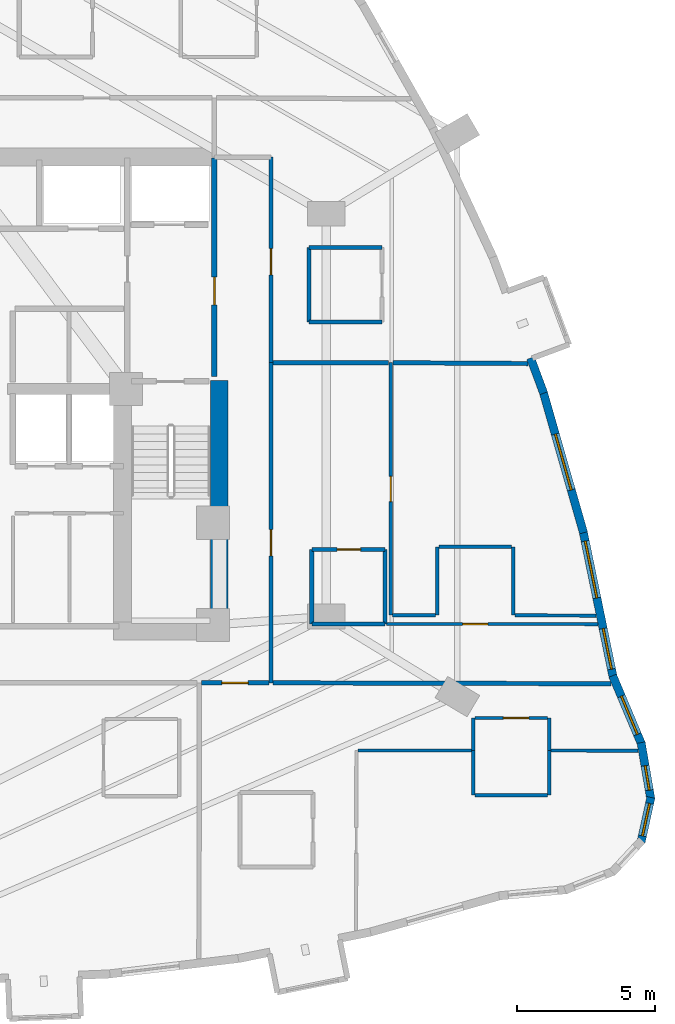
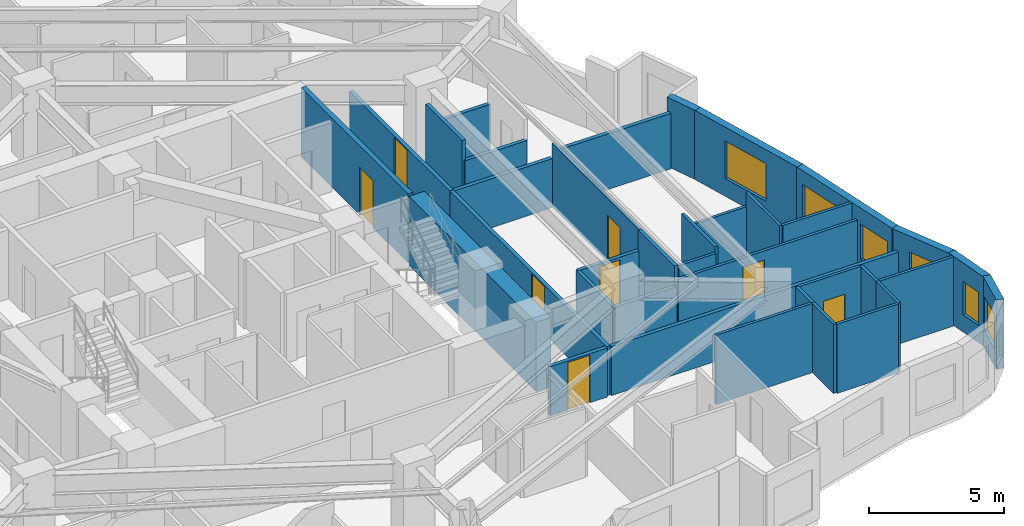
# One storey, part 8 of 11: 36 walls, 8 doors, 6 windows, 14 openings.
"""IFC4 building model written with IfcOpenShell, lengths in metres."""

from ifc_helpers import new_model, si_unit, direction, frame, frame_2d, origin, place, context, subcontext, project, spatial, rectangle, extrude, material, layer, layer_set, type_object, element, fill, save


model = new_model("IFC4")

# Units and contexts
model_context = context("Model", 3, precision=1e-05, world=origin(), true_north=direction((0.0, 1.0)))
body_context = subcontext(model_context, "Body", "Model", "MODEL_VIEW")
ifc_project = project(units=[si_unit("LENGTHUNIT", "METRE"), si_unit("AREAUNIT", "SQUARE_METRE"), si_unit("VOLUMEUNIT", "CUBIC_METRE"), si_unit("PLANEANGLEUNIT", "RADIAN"), si_unit("MASSUNIT", "GRAM", prefix="KILO")], contexts=[model_context])

# Site, building, storey
site_placement = place(None, origin())
site = spatial("IfcSite", under=ifc_project, at=site_placement, CompositionType="ELEMENT")
building_placement = place(site_placement, origin())
building = spatial("IfcBuilding", under=site, at=building_placement, Name="Miruveldt Soraemaru", CompositionType="ELEMENT")
storey_placement = place(building_placement, frame((0.0, 0.0, 66.60009765625)))
storey = spatial("IfcBuildingStorey", under=building, at=storey_placement, Name="L18", CompositionType="ELEMENT", Elevation=66.60009765625)

# Wall
ifc_material_1 = material(Name="Concrete C80/95 (80 MPa)", Category="concrete")
ifc_layer_1 = layer(ifc_material_1, 0.64990234375, Name="Concrete C80/95 (80 MPa)", Category="concrete")
ifc_layer_set_1 = layer_set([ifc_layer_1], Name="Concrete C80/95 (80 MPa)")
wall_type_1 = type_object("IfcWallType", Name="WALL-CW-650", PredefinedType="SHEAR", material=ifc_layer_set_1)
wall_1_placement = place(storey_placement, frame((52.72509765625, 34.949951171875, 0.0), z_axis=(0.0, 0.0, 1.0), x_axis=(0.0, 1.0, 0.0)))
element("IfcWall", 1, at=wall_1_placement, inside=storey, type_object=wall_type_1, Name="L18 Central Core Shear Wall E1", PredefinedType="SHEAR", context=body_context, shape_type="SweptSolid", body=[
    extrude(rectangle(XDim=9.400146484375, YDim=0.64990234375, at=frame_2d((4.7001953125, 0.0))), origin(), (0.0, 0.0, 1.0), 3.125),
])

# Wall, opening, window
ifc_material_2 = material(Name="Precast concrete C45/55 (45 MPa)", Category="concrete")
ifc_layer_2 = layer(ifc_material_2, 0.300048828125, Name="Precast concrete C45/55 (45 MPa)", Category="concrete")
ifc_layer_set_2 = layer_set([ifc_layer_2], Name="Precast concrete C45/55 (45 MPa)")
wall_type_2 = type_object("IfcWallType", Name="WALL-EXT-PC300", PredefinedType="SOLIDWALL", material=ifc_layer_set_2)
wall_2_placement = place(storey_placement, frame((68.013427734375, 27.633056640625, 0.0), z_axis=(0.0, 0.0, 1.0), x_axis=(0.21571007503, 0.976457456078, 0.0)))
wall_2 = element("IfcWall", 2, at=wall_2_placement, inside=storey, type_object=wall_type_2, Name="L18 Precast Concrete Facade Wall 32", PredefinedType="SOLIDWALL", context=body_context, shape_type="SweptSolid", body=[
    extrude(rectangle(XDim=1.65234375, YDim=0.300048828125, at=frame_2d((0.826171875, 0.0))), origin(), (0.0, 0.0, 1.0), 3.125),
])
opening_1_placement = place(wall_2_placement, frame((0.22607421875, 0.0, 0.780029296875)))
opening_1 = element("IfcOpeningElement", 3, at=opening_1_placement, cuts=wall_2, Name="Opening WN-4", PredefinedType="OPENING", context=body_context, shape_type="SweptSolid", body=[
    extrude(rectangle(XDim=1.199951171875, YDim=1.550048828125, at=frame_2d((0.60009765625, 0.77490234375))), frame((0.0, 0.16015625, 0.0), z_axis=(0.0, -1.0, 0.0), x_axis=(1.0, 0.0, 0.0)), (0.0, 0.0, 1.0), 0.320068359375),
])
ifc_material_3 = material(Name="Triple low-e insulated glazing", Category="glass")
window_type_1 = type_object("IfcWindowType", Name="WIN-PUNCH-1200x1550", PartitioningType="SINGLE_PANEL", PredefinedType="WINDOW", material=ifc_material_3)
window_1_placement = place(opening_1_placement, origin())
window_1 = element("IfcWindow", 4, at=window_1_placement, inside=storey, type_object=window_type_1, Name="L18 Punched Triple-Glazed Window 32.1", OverallHeight=1.550048828125, OverallWidth=1.199951171875, PartitioningType="SINGLE_PANEL", PredefinedType="WINDOW", context=body_context, shape_type="SweptSolid", body=[
    extrude(rectangle(XDim=1.199951171875, YDim=1.550048828125, at=frame_2d((0.60009765625, 0.77490234375))), frame((0.0, 0.030029296875, 0.0), z_axis=(0.0, -1.0, 0.0), x_axis=(1.0, 0.0, 0.0)), (0.0, 0.0, 1.0), 0.06005859375),
])
fill(opening_1, window_1)

wall_3_placement = place(storey_placement, frame((68.3681640625, 29.177978515625, 0.0), z_axis=(0.0, 0.0, 1.0), x_axis=(-0.169256203907, 0.985572086374, 0.0)))
wall_3 = element("IfcWall", 5, at=wall_3_placement, inside=storey, type_object=wall_type_2, Name="L18 Precast Concrete Facade Wall 33", PredefinedType="SOLIDWALL", context=body_context, shape_type="SweptSolid", body=[
    extrude(rectangle(XDim=2.085693359375, YDim=0.300048828125, at=frame_2d((1.04296875, 0.0))), origin(), (0.0, 0.0, 1.0), 3.125),
])
opening_2_placement = place(wall_3_placement, frame((0.3359375, 0.0, 0.780029296875)))
opening_2 = element("IfcOpeningElement", 6, at=opening_2_placement, cuts=wall_3, Name="Opening WN-7", PredefinedType="OPENING", context=body_context, shape_type="SweptSolid", body=[
    extrude(rectangle(XDim=0.89990234375, YDim=1.5, at=frame_2d((0.449951171875, 0.75))), frame((0.0, 0.16015625, 0.0), z_axis=(0.0, -1.0, 0.0), x_axis=(1.0, 0.0, 0.0)), (0.0, 0.0, 1.0), 0.320068359375),
])
window_type_2 = type_object("IfcWindowType", Name="WIN-PUNCH-900x1500", PartitioningType="SINGLE_PANEL", PredefinedType="WINDOW", material=ifc_material_3)
window_2_placement = place(opening_2_placement, origin())
window_2 = element("IfcWindow", 7, at=window_2_placement, inside=storey, type_object=window_type_2, Name="L18 Punched Triple-Glazed Window 33.1", OverallHeight=1.5, OverallWidth=0.89990234375, PartitioningType="SINGLE_PANEL", PredefinedType="WINDOW", context=body_context, shape_type="SweptSolid", body=[
    extrude(rectangle(XDim=0.89990234375, YDim=1.5, at=frame_2d((0.449951171875, 0.75))), frame((0.0, 0.030029296875, 0.0), z_axis=(0.0, -1.0, 0.0), x_axis=(1.0, 0.0, 0.0)), (0.0, 0.0, 1.0), 0.06005859375),
])
fill(opening_2, window_2)

wall_4_placement = place(storey_placement, frame((68.03466796875, 31.1669921875, 0.0), z_axis=(0.0, 0.0, 1.0), x_axis=(-0.388674171287, 0.921375270221, 0.0)))
wall_4 = element("IfcWall", 8, at=wall_4_placement, inside=storey, type_object=wall_type_2, Name="L18 Precast Concrete Facade Wall 34", PredefinedType="SOLIDWALL", context=body_context, shape_type="SweptSolid", body=[
    extrude(rectangle(XDim=2.705322265625, YDim=0.300048828125, at=frame_2d((1.3525390625, 0.0))), origin(), (0.0, 0.0, 1.0), 3.125),
])
opening_3_placement = place(wall_4_placement, frame((0.39794921875, 0.0, 0.800048828125)))
opening_3 = element("IfcOpeningElement", 9, at=opening_3_placement, cuts=wall_4, Name="Opening WN-3", PredefinedType="OPENING", context=body_context, shape_type="SweptSolid", body=[
    extrude(rectangle(XDim=1.5, YDim=1.60009765625, at=frame_2d((0.75, 0.800048828125))), frame((0.0, 0.16015625, 0.0), z_axis=(0.0, -1.0, 0.0), x_axis=(1.0, 0.0, 0.0)), (0.0, 0.0, 1.0), 0.320068359375),
])
window_type_3 = type_object("IfcWindowType", Name="WIN-PUNCH-1500x1600", PartitioningType="SINGLE_PANEL", PredefinedType="WINDOW", material=ifc_material_3)
window_3_placement = place(opening_3_placement, origin())
window_3 = element("IfcWindow", 10, at=window_3_placement, inside=storey, type_object=window_type_3, Name="L18 Punched Triple-Glazed Window 34.1", OverallHeight=1.60009765625, OverallWidth=1.5, PartitioningType="SINGLE_PANEL", PredefinedType="WINDOW", context=body_context, shape_type="SweptSolid", body=[
    extrude(rectangle(XDim=1.5, YDim=1.60009765625, at=frame_2d((0.75, 0.800048828125))), frame((0.0, 0.030029296875, 0.0), z_axis=(0.0, -1.0, 0.0), x_axis=(1.0, 0.0, 0.0)), (0.0, 0.0, 1.0), 0.06005859375),
])
fill(opening_3, window_3)

# Wall, openings, windows
wall_5_placement = place(storey_placement, frame((67.00390625, 33.593017578125, 0.0), z_axis=(0.0, 0.0, 1.0), x_axis=(-0.201583076405, 0.979471420363, 0.0)))
wall_5 = element("IfcWall", 11, at=wall_5_placement, inside=storey, type_object=wall_type_2, Name="L18 Precast Concrete Facade Wall 35", PredefinedType="SOLIDWALL", context=body_context, shape_type="SweptSolid", body=[
    extrude(rectangle(XDim=5.424560546875, YDim=0.300048828125, at=frame_2d((2.71240234375, 0.0))), origin(), (0.0, 0.0, 1.0), 3.125),
])
opening_4_placement = place(wall_5_placement, frame((0.30810546875, 0.0, 0.800048828125)))
opening_4 = element("IfcOpeningElement", 12, at=opening_4_placement, cuts=wall_5, Name="Opening WN-3", PredefinedType="OPENING", context=body_context, shape_type="SweptSolid", body=[
    extrude(rectangle(XDim=1.5, YDim=1.60009765625, at=frame_2d((0.75, 0.800048828125))), frame((0.0, 0.16015625, 0.0), z_axis=(0.0, -1.0, 0.0), x_axis=(1.0, 0.0, 0.0)), (0.0, 0.0, 1.0), 0.320068359375),
])
opening_5_placement = place(wall_5_placement, frame((2.943115234375, 0.0, 0.800048828125)))
opening_5 = element("IfcOpeningElement", 13, at=opening_5_placement, cuts=wall_5, Name="Opening WN-1", PredefinedType="OPENING", context=body_context, shape_type="SweptSolid", body=[
    extrude(rectangle(XDim=2.10009765625, YDim=1.699951171875, at=frame_2d((1.050048828125, 0.85009765625))), frame((0.0, 0.16015625, 0.0), z_axis=(0.0, -1.0, 0.0), x_axis=(1.0, 0.0, 0.0)), (0.0, 0.0, 1.0), 0.320068359375),
])
window_4_placement = place(opening_4_placement, origin())
window_4 = element("IfcWindow", 14, at=window_4_placement, inside=storey, type_object=window_type_3, Name="L18 Punched Triple-Glazed Window 35.1", OverallHeight=1.60009765625, OverallWidth=1.5, PartitioningType="SINGLE_PANEL", PredefinedType="WINDOW", context=body_context, shape_type="SweptSolid", body=[
    extrude(rectangle(XDim=1.5, YDim=1.60009765625, at=frame_2d((0.75, 0.800048828125))), frame((0.0, 0.030029296875, 0.0), z_axis=(0.0, -1.0, 0.0), x_axis=(1.0, 0.0, 0.0)), (0.0, 0.0, 1.0), 0.06005859375),
])
fill(opening_4, window_4)
window_type_4 = type_object("IfcWindowType", Name="WIN-PUNCH-2100x1700", PartitioningType="SINGLE_PANEL", PredefinedType="WINDOW", material=ifc_material_3)
window_5_placement = place(opening_5_placement, origin())
window_5 = element("IfcWindow", 15, at=window_5_placement, inside=storey, type_object=window_type_4, Name="L18 Punched Triple-Glazed Window 35.2", OverallHeight=1.699951171875, OverallWidth=2.10009765625, PartitioningType="SINGLE_PANEL", PredefinedType="WINDOW", context=body_context, shape_type="SweptSolid", body=[
    extrude(rectangle(XDim=2.10009765625, YDim=1.699951171875, at=frame_2d((1.050048828125, 0.85009765625))), frame((0.0, 0.030029296875, 0.0), z_axis=(0.0, -1.0, 0.0), x_axis=(1.0, 0.0, 0.0)), (0.0, 0.0, 1.0), 0.06005859375),
])
fill(opening_5, window_5)

# Wall, opening, window
wall_6_placement = place(storey_placement, frame((65.92724609375, 38.83837890625, 0.0), z_axis=(0.0, 0.0, 1.0), x_axis=(-0.275011596825, 0.961440909059, 0.0)))
wall_6 = element("IfcWall", 16, at=wall_6_placement, inside=storey, type_object=wall_type_2, Name="L18 Precast Concrete Facade Wall 36", PredefinedType="SOLIDWALL", context=body_context, shape_type="SweptSolid", body=[
    extrude(rectangle(XDim=5.328369140625, YDim=0.300048828125, at=frame_2d((2.6640625, 0.0))), origin(), (0.0, 0.0, 1.0), 3.125),
])
opening_6_placement = place(wall_6_placement, frame((1.614013671875, 0.0, 0.800048828125)))
opening_6 = element("IfcOpeningElement", 17, at=opening_6_placement, cuts=wall_6, Name="Opening WN-1", PredefinedType="OPENING", context=body_context, shape_type="SweptSolid", body=[
    extrude(rectangle(XDim=2.10009765625, YDim=1.699951171875, at=frame_2d((1.050048828125, 0.85009765625))), frame((0.0, 0.16015625, 0.0), z_axis=(0.0, -1.0, 0.0), x_axis=(1.0, 0.0, 0.0)), (0.0, 0.0, 1.0), 0.320068359375),
])
window_6_placement = place(opening_6_placement, origin())
window_6 = element("IfcWindow", 18, at=window_6_placement, inside=storey, type_object=window_type_4, Name="L18 Punched Triple-Glazed Window 36.1", OverallHeight=1.699951171875, OverallWidth=2.10009765625, PartitioningType="SINGLE_PANEL", PredefinedType="WINDOW", context=body_context, shape_type="SweptSolid", body=[
    extrude(rectangle(XDim=2.10009765625, YDim=1.699951171875, at=frame_2d((1.050048828125, 0.85009765625))), frame((0.0, 0.030029296875, 0.0), z_axis=(0.0, -1.0, 0.0), x_axis=(1.0, 0.0, 0.0)), (0.0, 0.0, 1.0), 0.06005859375),
])
fill(opening_6, window_6)

# Wall
wall_7_placement = place(storey_placement, frame((64.48388671875, 43.894775390625, 0.0), z_axis=(0.0, 0.0, 1.0), x_axis=(-0.349118285332, 0.937078664172, 0.0)))
element("IfcWall", 19, at=wall_7_placement, inside=storey, type_object=wall_type_2, Name="L18 Precast Pier Wall 37A", PredefinedType="SOLIDWALL", context=body_context, shape_type="SweptSolid", body=[
    extrude(rectangle(XDim=1.361572265625, YDim=0.300048828125, at=frame_2d((0.6806640625, 0.0))), origin(), (0.0, 0.0, 1.0), 3.125),
])

# Wall, opening, door
ifc_material_4 = material(Name="Gypsum plasterboard lining", Category="gypsum")
ifc_layer_3 = layer(ifc_material_4, 0.1201171875, Name="Gypsum plasterboard lining", Category="gypsum")
ifc_layer_set_3 = layer_set([ifc_layer_3], Name="Gypsum plasterboard lining")
wall_type_3 = type_object("IfcWallType", Name="WALL-INT-P120", PredefinedType="PARTITIONING", material=ifc_layer_set_3)
wall_8_placement = place(storey_placement, frame((58.94189453125, 35.85009765625, 0.0), z_axis=(0.0, 0.0, 1.0), x_axis=(0.0, 1.0, 0.0)))
wall_8 = element("IfcWall", 20, at=wall_8_placement, inside=storey, type_object=wall_type_3, Name="L18 Partition Wall 74", PredefinedType="PARTITIONING", context=body_context, shape_type="SweptSolid", body=[
    extrude(rectangle(XDim=9.14990234375, YDim=0.1201171875, at=frame_2d((4.574951171875, 0.0))), origin(), (0.0, 0.0, 1.0), 2.86279296875),
])
opening_7_placement = place(wall_8_placement, frame((4.114990234375, 0.0, 0.0)))
opening_7 = element("IfcOpeningElement", 21, at=opening_7_placement, cuts=wall_8, Name="Opening D3A", PredefinedType="OPENING", context=body_context, shape_type="SweptSolid", body=[
    extrude(rectangle(XDim=0.919921875, YDim=2.10009765625, at=frame_2d((0.4599609375, 1.050048828125))), frame((0.0, 0.070068359375, 0.0), z_axis=(0.0, -1.0, 0.0), x_axis=(1.0, 0.0, 0.0)), (0.0, 0.0, 1.0), 0.14013671875),
])
ifc_material_5 = material(Name="Anodised aluminium EN AW-6063 T6", Category="aluminium")
door_type_1 = type_object("IfcDoorType", Name="DOOR-INT-920", OperationType="NOTDEFINED", PredefinedType="DOOR", material=ifc_material_5)
door_1_placement = place(opening_7_placement, origin())
door_1 = element("IfcDoor", 22, at=door_1_placement, inside=storey, type_object=door_type_1, Name="L18 Unit 1806 BD1 Door", OperationType="SINGLE_SWING_RIGHT", OverallHeight=2.10009765625, OverallWidth=0.919921875, PredefinedType="DOOR", context=body_context, shape_type="SweptSolid", body=[
    extrude(rectangle(XDim=0.919921875, YDim=2.10009765625, at=frame_2d((0.4599609375, 1.050048828125))), frame((0.0, 0.02490234375, 0.0), z_axis=(0.0, -1.0, 0.0), x_axis=(1.0, 0.0, 0.0)), (0.0, 0.0, 1.0), 0.050048828125),
])
fill(opening_7, door_1)

wall_9_placement = place(storey_placement, frame((58.7900390625, 35.530029296875, 0.0), z_axis=(0.0, 0.0, 1.0), x_axis=(0.999999975075, -0.000223271237, 0.0)))
wall_9 = element("IfcWall", 23, at=wall_9_placement, inside=storey, type_object=wall_type_3, Name="L18 Partition Wall 71", PredefinedType="PARTITIONING", context=body_context, shape_type="SweptSolid", body=[
    extrude(rectangle(XDim=7.654296875, YDim=0.1201171875, at=frame_2d((3.8271484375, 0.0))), origin(), (0.0, 0.0, 1.0), 2.512939453125),
])
opening_8_placement = place(wall_9_placement, frame((2.7548828125, 0.0, 0.0)))
opening_8 = element("IfcOpeningElement", 24, at=opening_8_placement, cuts=wall_9, Name="Opening D3A", PredefinedType="OPENING", context=body_context, shape_type="SweptSolid", body=[
    extrude(rectangle(XDim=0.919921875, YDim=2.10009765625, at=frame_2d((0.4599609375, 1.050048828125))), frame((0.0, 0.070068359375, 0.0), z_axis=(0.0, -1.0, 0.0), x_axis=(1.0, 0.0, 0.0)), (0.0, 0.0, 1.0), 0.14013671875),
])
door_2_placement = place(opening_8_placement, origin())
door_2 = element("IfcDoor", 25, at=door_2_placement, inside=storey, type_object=door_type_1, Name="L18 Unit 1806 KIT Door", OperationType="SINGLE_SWING_LEFT", OverallHeight=2.10009765625, OverallWidth=0.919921875, PredefinedType="DOOR", context=body_context, shape_type="SweptSolid", body=[
    extrude(rectangle(XDim=0.919921875, YDim=2.10009765625, at=frame_2d((0.4599609375, 1.050048828125))), frame((0.0, 0.02490234375, 0.0), z_axis=(0.0, -1.0, 0.0), x_axis=(1.0, 0.0, 0.0)), (0.0, 0.0, 1.0), 0.050048828125),
])
fill(opening_8, door_2)

wall_10_placement = place(storey_placement, frame((64.6201171875, 32.126953125, 0.0), z_axis=(0.0, 0.0, 1.0), x_axis=(-1.0, 0.0, 0.0)))
wall_10 = element("IfcWall", 26, at=wall_10_placement, inside=storey, type_object=wall_type_3, Name="L18 Partition Wall 107", PredefinedType="PARTITIONING", context=body_context, shape_type="SweptSolid", body=[
    extrude(rectangle(XDim=2.630126953125, YDim=0.1201171875, at=frame_2d((1.31494140625, 0.0))), origin(), (0.0, 0.0, 1.0), 3.125),
])
opening_9_placement = place(wall_10_placement, frame((0.675048828125, 0.0, 0.0)))
opening_9 = element("IfcOpeningElement", 27, at=opening_9_placement, cuts=wall_10, Name="Opening D3A", PredefinedType="OPENING", context=body_context, shape_type="SweptSolid", body=[
    extrude(rectangle(XDim=0.919921875, YDim=2.10009765625, at=frame_2d((0.4599609375, 1.050048828125))), frame((0.0, 0.070068359375, 0.0), z_axis=(0.0, -1.0, 0.0), x_axis=(1.0, 0.0, 0.0)), (0.0, 0.0, 1.0), 0.14013671875),
])
door_3_placement = place(opening_9_placement, origin())
door_3 = element("IfcDoor", 28, at=door_3_placement, inside=storey, type_object=door_type_1, Name="L18 Unit 1809 KIT Door", OperationType="SINGLE_SWING_RIGHT", OverallHeight=2.10009765625, OverallWidth=0.919921875, PredefinedType="DOOR", context=body_context, shape_type="SweptSolid", body=[
    extrude(rectangle(XDim=0.919921875, YDim=2.10009765625, at=frame_2d((0.4599609375, 1.050048828125))), frame((0.0, 0.02490234375, 0.0), z_axis=(0.0, -1.0, 0.0), x_axis=(1.0, 0.0, 0.0)), (0.0, 0.0, 1.0), 0.050048828125),
])
fill(opening_9, door_3)

# Walls
wall_11_placement = place(storey_placement, frame((57.758056640625, 30.949951171875, 0.0), z_axis=(0.0, 0.0, 1.0), x_axis=(1.0, 0.0, 0.0)))
element("IfcWall", 29, at=wall_11_placement, inside=storey, type_object=wall_type_3, Name="L18 Partition Wall 110", PredefinedType="PARTITIONING", context=body_context, shape_type="SweptSolid", body=[
    extrude(rectangle(XDim=4.112060546875, YDim=0.1201171875, at=frame_2d((2.05615234375, 0.0))), origin(), (0.0, 0.0, 1.0), 3.125),
])
wall_12_placement = place(storey_placement, frame((64.739990234375, 30.949951171875, 0.0), z_axis=(0.0, 0.0, 1.0), x_axis=(0.999990296867, -0.004405243599, 0.0)))
element("IfcWall", 30, at=wall_12_placement, inside=storey, type_object=wall_type_3, Name="L18 Partition Wall 111", PredefinedType="PARTITIONING", context=body_context, shape_type="SweptSolid", body=[
    extrude(rectangle(XDim=3.158935546875, YDim=0.1201171875, at=frame_2d((1.57958984375, 0.0))), origin(), (0.0, 0.0, 1.0), 3.125),
])
wall_13_placement = place(storey_placement, frame((66.375, 35.8330078125, 0.0), z_axis=(0.0, 0.0, 1.0), x_axis=(-0.999983048755, 0.005822559758, 0.0)))
element("IfcWall", 31, at=wall_13_placement, inside=storey, type_object=wall_type_3, Name="L18 Partition Wall 72", PredefinedType="PARTITIONING", context=body_context, shape_type="SweptSolid", body=[
    extrude(rectangle(XDim=2.93505859375, YDim=0.1201171875, at=frame_2d((1.467529296875, 0.0))), origin(), (0.0, 0.0, 1.0), 3.125),
])
wall_14_placement = place(storey_placement, frame((63.320068359375, 38.330078125, 0.0), z_axis=(0.0, 0.0, 1.0), x_axis=(-1.0, 0.0, 0.0)))
element("IfcWall", 32, at=wall_14_placement, inside=storey, type_object=wall_type_3, Name="L18 Partition Wall 77", PredefinedType="PARTITIONING", context=body_context, shape_type="SweptSolid", body=[
    extrude(rectangle(XDim=2.630126953125, YDim=0.1201171875, at=frame_2d((1.31494140625, 0.0))), origin(), (0.0, 0.0, 1.0), 2.512939453125),
])
wall_15_placement = place(storey_placement, frame((61.989990234375, 29.326904296875, 0.0), z_axis=(0.0, 0.0, 1.0), x_axis=(1.0, 0.0, 0.0)))
element("IfcWall", 33, at=wall_15_placement, inside=storey, type_object=wall_type_3, Name="L18 Partition Wall 113", PredefinedType="PARTITIONING", context=body_context, shape_type="SweptSolid", body=[
    extrude(rectangle(XDim=2.630126953125, YDim=0.1201171875, at=frame_2d((1.31494140625, 0.0))), origin(), (0.0, 0.0, 1.0), 3.125),
])
for number, where, z_axis, x_axis, name in (
    (34, (63.3798828125, 35.85009765625, 0.0), (0.0, 0.0, 1.0), (0.0, 1.0, 0.0), "L18 Partition Wall 76"),
    (35, (60.6298828125, 38.330078125, 0.0), (0.0, 0.0, 1.0), (0.0, -1.0, 0.0), "L18 Partition Wall 78"),
):
    element("IfcWall", number, at=place(storey_placement, frame(where, z_axis=z_axis, x_axis=x_axis)), inside=storey, type_object=wall_type_3, Name=name, PredefinedType="PARTITIONING", context=body_context, shape_type="SweptSolid", body=[
        extrude(rectangle(XDim=2.47998046875, YDim=0.1201171875, at=frame_2d((1.239990234375, 0.0))), origin(), (0.0, 0.0, 1.0), 3.125),
    ])
for number, where, z_axis, x_axis, name in (
    (36, (61.929931640625, 30.949951171875, 0.0), (0.0, 0.0, 1.0), (0.0, -1.0, 0.0), "L18 Partition Wall 112"),
    (37, (64.679931640625, 29.326904296875, 0.0), (0.0, 0.0, 1.0), (0.0, 1.0, 0.0), "L18 Partition Wall 114"),
):
    element("IfcWall", number, at=place(storey_placement, frame(where, z_axis=z_axis, x_axis=x_axis)), inside=storey, type_object=wall_type_3, Name=name, PredefinedType="PARTITIONING", context=body_context, shape_type="SweptSolid", body=[
        extrude(rectangle(XDim=1.623046875, YDim=0.1201171875, at=frame_2d((0.8115234375, 0.0))), origin(), (0.0, 0.0, 1.0), 3.125),
    ])
wall_16_placement = place(storey_placement, frame((60.570068359375, 35.85009765625, 0.0), z_axis=(0.0, 0.0, 1.0), x_axis=(-1.0, 0.0, 0.0)))
element("IfcWall", 38, at=wall_16_placement, inside=storey, type_object=wall_type_3, Name="L18 Partition Wall 73", PredefinedType="PARTITIONING", context=body_context, shape_type="SweptSolid", body=[
    extrude(rectangle(XDim=1.568115234375, YDim=0.1201171875, at=frame_2d((0.7841796875, 0.0))), origin(), (0.0, 0.0, 1.0), 2.86279296875),
])
for number, where, z_axis, x_axis, name in (
    (39, (64.679931640625, 30.949951171875, 0.0), (0.0, 0.0, 1.0), (0.0, 1.0, 0.0), "L18 Partition Wall 106"),
    (40, (61.929931640625, 32.126953125, 0.0), (0.0, 0.0, 1.0), (0.0, -1.0, 0.0), "L18 Partition Wall 108"),
):
    element("IfcWall", number, at=place(storey_placement, frame(where, z_axis=z_axis, x_axis=x_axis)), inside=storey, type_object=wall_type_3, Name=name, PredefinedType="PARTITIONING", context=body_context, shape_type="SweptSolid", body=[
        extrude(rectangle(XDim=1.177001953125, YDim=0.1201171875, at=frame_2d((0.58837890625, 0.0))), origin(), (0.0, 0.0, 1.0), 3.125),
    ])

# Wall, opening, door
ifc_layer_4 = layer(ifc_material_4, 0.14990234375, Name="Gypsum plasterboard lining", Category="gypsum")
ifc_layer_set_4 = layer_set([ifc_layer_4], Name="Gypsum plasterboard lining")
wall_type_4 = type_object("IfcWallType", Name="WALL-INT-PLUMB", PredefinedType="PLUMBINGWALL", material=ifc_layer_set_4)
wall_17_placement = place(storey_placement, frame((58.72998046875, 38.22998046875, 0.0), z_axis=(0.0, 0.0, 1.0), x_axis=(-1.0, 0.0, 0.0)))
wall_17 = element("IfcWall", 41, at=wall_17_placement, inside=storey, type_object=wall_type_4, Name="L18 Partition Wall 68", PredefinedType="PLUMBINGWALL", context=body_context, shape_type="SweptSolid", body=[
    extrude(rectangle(XDim=2.64990234375, YDim=0.14990234375, at=frame_2d((1.324951171875, 0.0))), origin(), (0.0, 0.0, 1.0), 2.219970703125),
])
opening_10_placement = place(wall_17_placement, frame((0.885009765625, 0.0, 0.0)))
opening_10 = element("IfcOpeningElement", 42, at=opening_10_placement, cuts=wall_17, Name="Opening FD3", PredefinedType="OPENING", context=body_context, shape_type="SweptSolid", body=[
    extrude(rectangle(XDim=0.85009765625, YDim=2.10009765625, at=frame_2d((0.425048828125, 1.050048828125))), frame((0.0, 0.0849609375, 0.0), z_axis=(0.0, -1.0, 0.0), x_axis=(1.0, 0.0, 0.0)), (0.0, 0.0, 1.0), 0.169921875),
])
door_type_2 = type_object("IfcDoorType", Name="DOOR-FD3-850", OperationType="NOTDEFINED", PredefinedType="DOOR", material=ifc_material_5)
door_4_placement = place(opening_10_placement, origin())
door_4 = element("IfcDoor", 43, at=door_4_placement, inside=storey, type_object=door_type_2, Name="L18 Unit 1806 BTH Door", OperationType="SINGLE_SWING_RIGHT", OverallHeight=2.10009765625, OverallWidth=0.85009765625, PredefinedType="DOOR", context=body_context, shape_type="SweptSolid", body=[
    extrude(rectangle(XDim=0.85009765625, YDim=2.10009765625, at=frame_2d((0.425048828125, 1.050048828125))), frame((0.0, 0.02490234375, 0.0), z_axis=(0.0, -1.0, 0.0), x_axis=(1.0, 0.0, 0.0)), (0.0, 0.0, 1.0), 0.050048828125),
])
fill(opening_10, door_4)

# Walls
for number, where, z_axis, x_axis, name in (
    (44, (55.97998046875, 49.179931640625, 0.0), (0.0, 0.0, 1.0), (0.0, -1.0, 0.0), "L18 Partition Wall 63"),
    (45, (58.72998046875, 35.530029296875, 0.0), (0.0, 0.0, 1.0), (0.0, 1.0, 0.0), "L18 Partition Wall 67"),
):
    element("IfcWall", number, at=place(storey_placement, frame(where, z_axis=z_axis, x_axis=x_axis)), inside=storey, type_object=wall_type_4, Name=name, PredefinedType="PLUMBINGWALL", context=body_context, shape_type="SweptSolid", body=[
        extrude(rectangle(XDim=2.699951171875, YDim=0.14990234375, at=frame_2d((1.35009765625, 0.0))), origin(), (0.0, 0.0, 1.0), 3.125),
    ])
wall_18_placement = place(storey_placement, frame((56.080078125, 38.22998046875, 0.0), z_axis=(0.0, 0.0, 1.0), x_axis=(0.0, -1.0, 0.0)))
element("IfcWall", 46, at=wall_18_placement, inside=storey, type_object=wall_type_4, Name="L18 Partition Wall 69", PredefinedType="PLUMBINGWALL", context=body_context, shape_type="SweptSolid", body=[
    extrude(rectangle(XDim=2.699951171875, YDim=0.14990234375, at=frame_2d((1.35009765625, 0.0))), origin(), (0.0, 0.0, 1.0), 2.219970703125),
])
for number, where, z_axis, x_axis, name in (
    (47, (58.6298828125, 49.179931640625, 0.0), (0.0, 0.0, 1.0), (-1.0, 0.0, 0.0), "L18 Partition Wall 62"),
    (48, (55.97998046875, 46.47998046875, 0.0), (0.0, 0.0, 1.0), (1.0, 0.0, 0.0), "L18 Partition Wall 64"),
    (49, (56.080078125, 35.530029296875, 0.0), (0.0, 0.0, 1.0), (1.0, 0.0, 0.0), "L18 Partition Wall 70"),
):
    element("IfcWall", number, at=place(storey_placement, frame(where, z_axis=z_axis, x_axis=x_axis)), inside=storey, type_object=wall_type_4, Name=name, PredefinedType="PLUMBINGWALL", context=body_context, shape_type="SweptSolid", body=[
        extrude(rectangle(XDim=2.64990234375, YDim=0.14990234375, at=frame_2d((1.324951171875, 0.0))), origin(), (0.0, 0.0, 1.0), 2.219970703125),
    ])

# Wall, opening, door
ifc_material_6 = material(Name="Concrete C40/50 (40 MPa)", Category="concrete")
ifc_layer_5 = layer(ifc_material_6, 0.159912109375, Name="Concrete C40/50 (40 MPa)", Category="concrete")
ifc_layer_set_5 = layer_set([ifc_layer_5], Name="Concrete C40/50 (40 MPa)")
wall_type_5 = type_object("IfcWallType", Name="WALL-INT-RC160", PredefinedType="SOLIDWALL", material=ifc_layer_set_5)
wall_19_placement = place(storey_placement, frame((54.60009765625, 33.39990234375, 0.0), z_axis=(0.0, 0.0, 1.0), x_axis=(0.0, 1.0, 0.0)))
wall_19 = element("IfcWall", 50, at=wall_19_placement, inside=storey, type_object=wall_type_5, Name="L18 Partition Wall 8", PredefinedType="SOLIDWALL", context=body_context, shape_type="SweptSolid", body=[
    extrude(rectangle(XDim=11.60009765625, YDim=0.159912109375, at=frame_2d((5.800048828125, 0.0))), origin(), (0.0, 0.0, 1.0), 2.219970703125),
])
opening_11_placement = place(wall_19_placement, frame((4.60498046875, 0.0, 0.0)))
opening_11 = element("IfcOpeningElement", 51, at=opening_11_placement, cuts=wall_19, Name="Opening FD2", PredefinedType="OPENING", context=body_context, shape_type="SweptSolid", body=[
    extrude(rectangle(XDim=0.949951171875, YDim=2.14990234375, at=frame_2d((0.47509765625, 1.074951171875))), frame((0.0, 0.08984375, 0.0), z_axis=(0.0, -1.0, 0.0), x_axis=(1.0, 0.0, 0.0)), (0.0, 0.0, 1.0), 0.179931640625),
])
door_type_3 = type_object("IfcDoorType", Name="DOOR-FD2-950", OperationType="NOTDEFINED", PredefinedType="DOOR", material=ifc_material_5)
door_5_placement = place(opening_11_placement, origin())
door_5 = element("IfcDoor", 52, at=door_5_placement, inside=storey, type_object=door_type_3, Name="L18 Unit 1806 Entrance Fire Door", OperationType="SINGLE_SWING_LEFT", OverallHeight=2.14990234375, OverallWidth=0.949951171875, PredefinedType="DOOR", context=body_context, shape_type="SweptSolid", body=[
    extrude(rectangle(XDim=0.949951171875, YDim=2.14990234375, at=frame_2d((0.47509765625, 1.074951171875))), frame((0.0, 0.02490234375, 0.0), z_axis=(0.0, -1.0, 0.0), x_axis=(1.0, 0.0, 0.0)), (0.0, 0.0, 1.0), 0.050048828125),
])
fill(opening_11, door_5)

wall_20_placement = place(storey_placement, frame((54.60009765625, 45.0029296875, 0.0), z_axis=(0.0, 0.0, 1.0), x_axis=(0.0, 1.0, 0.0)))
wall_20 = element("IfcWall", 53, at=wall_20_placement, inside=storey, type_object=wall_type_5, Name="L18 Partition Wall 5", PredefinedType="SOLIDWALL", context=body_context, shape_type="SweptSolid", body=[
    extrude(rectangle(XDim=7.447021484375, YDim=0.159912109375, at=frame_2d((3.7236328125, 0.0))), origin(), (0.0, 0.0, 1.0), 2.219970703125),
])
opening_12_placement = place(wall_20_placement, frame((3.178955078125, 0.0, 0.0)))
opening_12 = element("IfcOpeningElement", 54, at=opening_12_placement, cuts=wall_20, Name="Opening FD2", PredefinedType="OPENING", context=body_context, shape_type="SweptSolid", body=[
    extrude(rectangle(XDim=0.949951171875, YDim=2.14990234375, at=frame_2d((0.47509765625, 1.074951171875))), frame((0.0, 0.08984375, 0.0), z_axis=(0.0, -1.0, 0.0), x_axis=(1.0, 0.0, 0.0)), (0.0, 0.0, 1.0), 0.179931640625),
])
door_6_placement = place(opening_12_placement, origin())
door_6 = element("IfcDoor", 55, at=door_6_placement, inside=storey, type_object=door_type_3, Name="L18 Unit CL05 Entrance Fire Door", OperationType="SINGLE_SWING_LEFT", OverallHeight=2.14990234375, OverallWidth=0.949951171875, PredefinedType="DOOR", context=body_context, shape_type="SweptSolid", body=[
    extrude(rectangle(XDim=0.949951171875, YDim=2.14990234375, at=frame_2d((0.47509765625, 1.074951171875))), frame((0.0, 0.02490234375, 0.0), z_axis=(0.0, -1.0, 0.0), x_axis=(1.0, 0.0, 0.0)), (0.0, 0.0, 1.0), 0.050048828125),
])
fill(opening_12, door_6)

wall_21_placement = place(storey_placement, frame((52.080078125, 33.39990234375, 0.0), z_axis=(0.0, 0.0, 1.0), x_axis=(1.0, 0.0, 0.0)))
wall_21 = element("IfcWall", 56, at=wall_21_placement, inside=storey, type_object=wall_type_5, Name="L18 Partition Wall 11", PredefinedType="SOLIDWALL", context=body_context, shape_type="SweptSolid", body=[
    extrude(rectangle(XDim=2.43994140625, YDim=0.159912109375, at=frame_2d((1.219970703125, 0.0))), origin(), (0.0, 0.0, 1.0), 2.219970703125),
])
opening_13_placement = place(wall_21_placement, frame((0.7451171875, 0.0, 0.0)))
opening_13 = element("IfcOpeningElement", 57, at=opening_13_placement, cuts=wall_21, Name="Opening FD2", PredefinedType="OPENING", context=body_context, shape_type="SweptSolid", body=[
    extrude(rectangle(XDim=0.949951171875, YDim=2.14990234375, at=frame_2d((0.47509765625, 1.074951171875))), frame((0.0, 0.08984375, 0.0), z_axis=(0.0, -1.0, 0.0), x_axis=(1.0, 0.0, 0.0)), (0.0, 0.0, 1.0), 0.179931640625),
])
door_7_placement = place(opening_13_placement, origin())
door_7 = element("IfcDoor", 58, at=door_7_placement, inside=storey, type_object=door_type_3, Name="L18 Unit 1809 Entrance Fire Door", OperationType="SINGLE_SWING_RIGHT", OverallHeight=2.14990234375, OverallWidth=0.949951171875, PredefinedType="DOOR", context=body_context, shape_type="SweptSolid", body=[
    extrude(rectangle(XDim=0.949951171875, YDim=2.14990234375, at=frame_2d((0.47509765625, 1.074951171875))), frame((0.0, 0.02490234375, 0.0), z_axis=(0.0, -1.0, 0.0), x_axis=(1.0, 0.0, 0.0)), (0.0, 0.0, 1.0), 0.050048828125),
])
fill(opening_13, door_7)

# Walls
wall_22_placement = place(storey_placement, frame((54.679931640625, 33.39990234375, 0.0), z_axis=(0.0, 0.0, 1.0), x_axis=(0.999996379391, -0.002690948637, 0.0)))
element("IfcWall", 59, at=wall_22_placement, inside=storey, type_object=wall_type_5, Name="L18 Partition Wall 75", PredefinedType="SOLIDWALL", context=body_context, shape_type="SweptSolid", body=[
    extrude(rectangle(XDim=12.248046875, YDim=0.159912109375, at=frame_2d((6.1240234375, 0.0))), origin(), (0.0, 0.0, 1.0), 2.219970703125),
])
wall_23_placement = place(storey_placement, frame((59.02197265625, 45.0, 0.0), z_axis=(0.0, 0.0, 1.0), x_axis=(0.999981106294, -0.006147117601, 0.0)))
element("IfcWall", 60, at=wall_23_placement, inside=storey, type_object=wall_type_5, Name="L18 Partition Wall 66", PredefinedType="SOLIDWALL", context=body_context, shape_type="SweptSolid", body=[
    extrude(rectangle(XDim=4.885009765625, YDim=0.159912109375, at=frame_2d((2.4423828125, 0.0))), origin(), (0.0, 0.0, 1.0), 2.512939453125),
])
wall_24_placement = place(storey_placement, frame((54.679931640625, 45.0, 0.0), z_axis=(0.0, 0.0, 1.0), x_axis=(1.0, 0.0, 0.0)))
element("IfcWall", 61, at=wall_24_placement, inside=storey, type_object=wall_type_5, Name="L18 Partition Wall 65", PredefinedType="SOLIDWALL", context=body_context, shape_type="SweptSolid", body=[
    extrude(rectangle(XDim=4.18212890625, YDim=0.159912109375, at=frame_2d((2.091064453125, 0.0))), origin(), (0.0, 0.0, 1.0), 2.219970703125),
])

# Wall, opening, door
ifc_layer_6 = layer(ifc_material_6, 0.199951171875, Name="Concrete C40/50 (40 MPa)", Category="concrete")
ifc_layer_set_6 = layer_set([ifc_layer_6], Name="Concrete C40/50 (40 MPa)")
wall_type_6 = type_object("IfcWallType", Name="WALL-INT-RC200", PredefinedType="SOLIDWALL", material=ifc_layer_set_6)
wall_25_placement = place(storey_placement, frame((52.550048828125, 44.5, 0.0), z_axis=(0.0, 0.0, 1.0), x_axis=(0.0, 1.0, 0.0)))
wall_25 = element("IfcWall", 62, at=wall_25_placement, inside=storey, type_object=wall_type_6, Name="L18 Core Compartment Wall FFE-OUT", PredefinedType="SOLIDWALL", context=body_context, shape_type="SweptSolid", body=[
    extrude(rectangle(XDim=7.919921875, YDim=0.199951171875, at=frame_2d((3.9599609375, 0.0))), origin(), (0.0, 0.0, 1.0), 3.125),
])
opening_14_placement = place(wall_25_placement, frame((2.60009765625, 0.0, 0.0)))
opening_14 = element("IfcOpeningElement", 63, at=opening_14_placement, cuts=wall_25, Name="Opening FD1", PredefinedType="OPENING", context=body_context, shape_type="SweptSolid", body=[
    extrude(rectangle(XDim=1.0, YDim=2.14990234375, at=frame_2d((0.5, 1.074951171875))), frame((0.0, 0.10986328125, 0.0), z_axis=(0.0, -1.0, 0.0), x_axis=(1.0, 0.0, 0.0)), (0.0, 0.0, 1.0), 0.219970703125),
])
door_type_4 = type_object("IfcDoorType", Name="DOOR-FD1-1000", OperationType="NOTDEFINED", PredefinedType="DOOR", material=ifc_material_5)
door_8_placement = place(opening_14_placement, frame((1.0, 0.0, 0.0), z_axis=(0.0, 0.0, 1.0), x_axis=(-1.0, 0.0, 0.0)))
door_8 = element("IfcDoor", 64, at=door_8_placement, inside=storey, type_object=door_type_4, Name="L18 East Firefighting Lobby Exit Door", OperationType="SINGLE_SWING_RIGHT", OverallHeight=2.14990234375, OverallWidth=1.0, PredefinedType="DOOR", context=body_context, shape_type="SweptSolid", body=[
    extrude(rectangle(XDim=1.0, YDim=2.14990234375, at=frame_2d((0.5, 1.074951171875))), frame((0.0, 0.02490234375, 0.0), z_axis=(0.0, -1.0, 0.0), x_axis=(1.0, 0.0, 0.0)), (0.0, 0.0, 1.0), 0.050048828125),
])
fill(opening_14, door_8)

save(model, "model.ifc")
